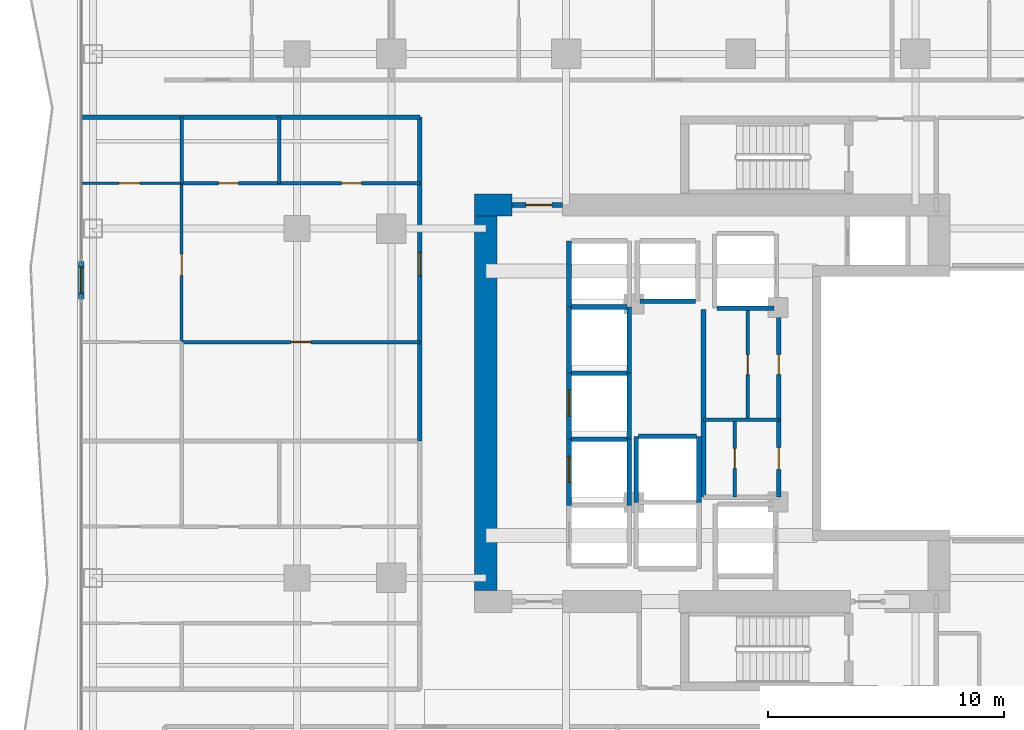
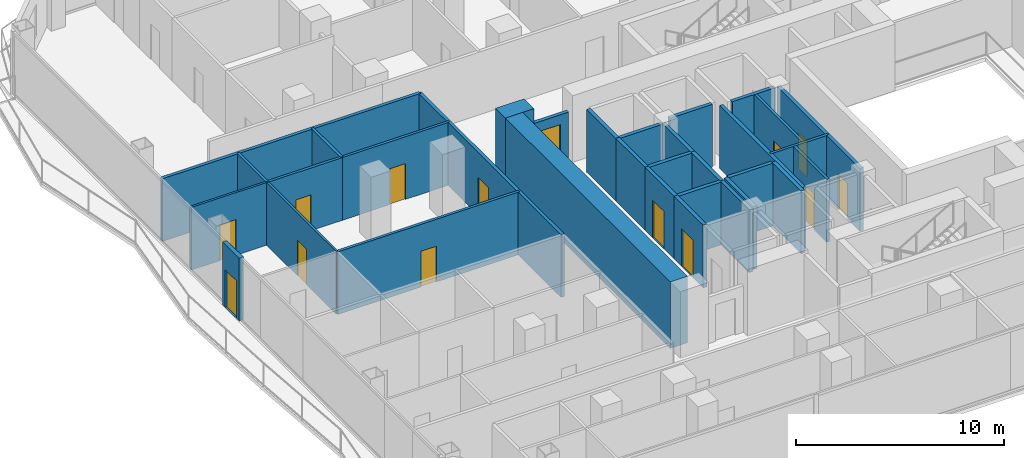
# One storey, part 20 of 28: 34 walls, 14 doors, 14 openings.
"""IFC4 building model written with IfcOpenShell, lengths in metres."""

from ifc_helpers import new_model, si_unit, direction, frame, frame_2d, origin, place, context, subcontext, project, spatial, rectangle, extrude, material, layer, layer_set, type_object, element, fill, save


model = new_model("IFC4")

# Units and contexts
model_context = context("Model", 3, precision=1e-05, world=origin(), true_north=direction((0.0, 1.0)))
body_context = subcontext(model_context, "Body", "Model", "MODEL_VIEW")
ifc_project = project(units=[si_unit("LENGTHUNIT", "METRE"), si_unit("AREAUNIT", "SQUARE_METRE"), si_unit("VOLUMEUNIT", "CUBIC_METRE"), si_unit("PLANEANGLEUNIT", "RADIAN"), si_unit("MASSUNIT", "GRAM", prefix="KILO")], contexts=[model_context])

# Site, building, storey
site_placement = place(None, origin())
site = spatial("IfcSite", under=ifc_project, at=site_placement, CompositionType="ELEMENT")
building_placement = place(site_placement, origin())
building = spatial("IfcBuilding", under=site, at=building_placement, Name="Khorvyn Point Tower", CompositionType="ELEMENT")
storey_placement = place(building_placement, frame((0.0, 0.0, 100.800048828125)))
storey = spatial("IfcBuildingStorey", under=building, at=storey_placement, Name="L25", CompositionType="ELEMENT", Elevation=100.800048828125)

# Wall, opening, door
ifc_material_1 = material(Name="Double acoustic gypsum on twin steel stud", Category="steel")
ifc_layer_1 = layer(ifc_material_1, 0.179931640625)
ifc_layer_set_1 = layer_set([ifc_layer_1], Name="Acoustic Double-Stud Apartment Demising Wall 180")
wall_type_1 = type_object("IfcWallType", Name="Acoustic Double-Stud Apartment Demising Wall 180", PredefinedType="PARTITIONING", material=ifc_layer_set_1)
wall_1_placement = place(storey_placement, frame((-13.60009765625, -1.60009765625, 0.0), z_axis=(0.0, 0.0, 1.0), x_axis=(0.0, 1.0, 0.0)))
wall_1 = element("IfcWall", 1, at=wall_1_placement, inside=storey, type_object=wall_type_1, Name="Wall", PredefinedType="PARTITIONING", context=body_context, shape_type="SweptSolid", body=[
    extrude(rectangle(XDim=13.72021484375, YDim=0.179931640625, at=frame_2d((6.860107421875, 0.0))), origin(), (0.0, 0.0, 1.0), 3.679931640625),
])
opening_1_placement = place(wall_1_placement, frame((6.989013671875, 0.0, 0.0)))
opening_1 = element("IfcOpeningElement", 2, at=opening_1_placement, cuts=wall_1, Name="Opening ID-AP60", PredefinedType="OPENING", context=body_context, shape_type="SweptSolid", body=[
    extrude(rectangle(XDim=1.0, YDim=2.199951171875, at=frame_2d((0.5, 1.10009765625))), frame((0.0, 0.099853515625, 0.0), z_axis=(0.0, -1.0, 0.0), x_axis=(1.0, 0.0, 0.0)), (0.0, 0.0, 1.0), 0.199951171875),
])
ifc_material_2 = material(Name="Engineered hardwood fire-rated leaf", Category="wood")
door_type_1 = type_object("IfcDoorType", Name="Acoustic Solid-Core Timber Apartment Entrance Door 1000x2200", OperationType="NOTDEFINED", PredefinedType="DOOR", material=ifc_material_2)
door_1_placement = place(opening_1_placement, origin())
door_1 = element("IfcDoor", 3, at=door_1_placement, inside=storey, type_object=door_type_1, Name="Door", OperationType="SINGLE_SWING_LEFT", OverallHeight=2.199951171875, OverallWidth=1.0, PredefinedType="DOOR", context=body_context, shape_type="SweptSolid", body=[
    extrude(rectangle(XDim=1.0, YDim=2.199951171875, at=frame_2d((0.5, 1.10009765625))), frame((0.0, 0.02490234375, 0.0), z_axis=(0.0, -1.0, 0.0), x_axis=(1.0, 0.0, 0.0)), (0.0, 0.0, 1.0), 0.050048828125),
])
fill(opening_1, door_1)

# Wall
wall_2_placement = place(storey_placement, frame((-27.929931640625, 12.1201171875, 0.0), z_axis=(0.0, 0.0, 1.0), x_axis=(1.0, 0.0, 0.0)))
element("IfcWall", 4, at=wall_2_placement, inside=storey, type_object=wall_type_1, Name="Wall", PredefinedType="PARTITIONING", context=body_context, shape_type="SweptSolid", body=[
    extrude(rectangle(XDim=14.329833984375, YDim=0.179931640625, at=frame_2d((7.1650390625, 0.0))), origin(), (0.0, 0.0, 1.0), 3.679931640625),
])

# Wall, opening, door
ifc_material_3 = material(Name="Pale anodised aluminium rainscreen on steel stud", Category="steel")
ifc_layer_2 = layer(ifc_material_3, 0.239990234375)
ifc_layer_set_2 = layer_set([ifc_layer_2], Name="Anodised Aluminium Insulated Corner Spandrel Wall 240")
wall_type_2 = type_object("IfcWallType", Name="Anodised Aluminium Insulated Corner Spandrel Wall 240", PredefinedType="SOLIDWALL", material=ifc_layer_set_2)
wall_3_placement = place(storey_placement, frame((-27.949951171875, 4.419921875, 0.0), z_axis=(0.0, 0.0, 1.0), x_axis=(0.0, 1.0, 0.0)))
wall_3 = element("IfcWall", 5, at=wall_3_placement, inside=storey, type_object=wall_type_2, Name="L25 West Outdoor Threshold Wall", PredefinedType="SOLIDWALL", context=body_context, shape_type="SweptSolid", body=[
    extrude(rectangle(XDim=1.580078125, YDim=0.239990234375, at=frame_2d((0.7900390625, 0.0))), origin(), (0.0, 0.0, 1.0), 3.679931640625),
])
opening_2_placement = place(wall_3_placement, frame((0.239990234375, 0.0, 0.0)))
opening_2 = element("IfcOpeningElement", 6, at=opening_2_placement, cuts=wall_3, Name="Opening BD-1122", PredefinedType="OPENING", context=body_context, shape_type="SweptSolid", body=[
    extrude(rectangle(XDim=1.10009765625, YDim=2.199951171875, at=frame_2d((0.550048828125, 1.10009765625))), frame((0.0, 0.1298828125, 0.0), z_axis=(0.0, -1.0, 0.0), x_axis=(1.0, 0.0, 0.0)), (0.0, 0.0, 1.0), 0.260009765625),
])
ifc_material_4 = material(Name="Anodised aluminium 6063-T6 and laminated Low-E glass", Category="aluminium")
door_type_2 = type_object("IfcDoorType", Name="Glazed Balcony and Terrace Threshold Door 1100x2200", OperationType="NOTDEFINED", PredefinedType="DOOR", material=ifc_material_4)
door_2_placement = place(opening_2_placement, origin())
door_2 = element("IfcDoor", 7, at=door_2_placement, inside=storey, type_object=door_type_2, Name="L25 West Glazed Balcony Outdoor Door", OperationType="SINGLE_SWING_LEFT", OverallHeight=2.199951171875, OverallWidth=1.10009765625, PredefinedType="DOOR", context=body_context, shape_type="SweptSolid", body=[
    extrude(rectangle(XDim=1.10009765625, YDim=2.199951171875, at=frame_2d((0.550048828125, 1.10009765625))), frame((0.0, 0.02490234375, 0.0), z_axis=(0.0, -1.0, 0.0), x_axis=(1.0, 0.0, 0.0)), (0.0, 0.0, 1.0), 0.050048828125),
])
fill(opening_2, door_2)

ifc_material_5 = material(Name="Concrete C40/50", Category="concrete")
ifc_layer_3 = layer(ifc_material_5, 0.199951171875)
ifc_layer_set_3 = layer_set([ifc_layer_3], Name="Concrete C40/50 Fire-Lobby Compartment Wall 200")
wall_type_3 = type_object("IfcWallType", Name="Concrete C40/50 Fire-Lobby Compartment Wall 200", PredefinedType="SOLIDWALL", material=ifc_layer_set_3)
wall_4_placement = place(storey_placement, frame((-9.699951171875, 8.39990234375, 0.0), z_axis=(0.0, 0.0, 1.0), x_axis=(1.0, 0.0, 0.0)))
wall_4 = element("IfcWall", 8, at=wall_4_placement, inside=storey, type_object=wall_type_3, Name="Wall", PredefinedType="SOLIDWALL", context=body_context, shape_type="SweptSolid", body=[
    extrude(rectangle(XDim=2.14990234375, YDim=0.199951171875, at=frame_2d((1.074951171875, 0.0))), origin(), (0.0, 0.0, 1.0), 2.719970703125),
])
opening_3_placement = place(wall_4_placement, frame((0.597900390625, 0.0, 0.0)))
opening_3 = element("IfcOpeningElement", 9, at=opening_3_placement, cuts=wall_4, Name="Opening ID-FL90", PredefinedType="OPENING", context=body_context, shape_type="SweptSolid", body=[
    extrude(rectangle(XDim=1.10009765625, YDim=2.14990234375, at=frame_2d((0.550048828125, 1.074951171875))), frame((0.0, 0.10986328125, 0.0), z_axis=(0.0, -1.0, 0.0), x_axis=(1.0, 0.0, 0.0)), (0.0, 0.0, 1.0), 0.219970703125),
])
ifc_material_6 = material(Name="Galvanised powder-coated steel", Category="steel")
door_type_3 = type_object("IfcDoorType", Name="Fire-Rated Steel Lobby and Stair Door 1100x2150", OperationType="NOTDEFINED", PredefinedType="DOOR", material=ifc_material_6)
door_3_placement = place(opening_3_placement, origin())
door_3 = element("IfcDoor", 10, at=door_3_placement, inside=storey, type_object=door_type_3, Name="Door", OperationType="SINGLE_SWING_LEFT", OverallHeight=2.14990234375, OverallWidth=1.10009765625, PredefinedType="DOOR", context=body_context, shape_type="SweptSolid", body=[
    extrude(rectangle(XDim=1.10009765625, YDim=2.14990234375, at=frame_2d((0.550048828125, 1.074951171875))), frame((0.0, 0.02490234375, 0.0), z_axis=(0.0, -1.0, 0.0), x_axis=(1.0, 0.0, 0.0)), (0.0, 0.0, 1.0), 0.050048828125),
])
fill(opening_3, door_3)

wall_5_placement = place(storey_placement, frame((1.610107421875, -3.97998046875, 0.0), z_axis=(0.0, 0.0, 1.0), x_axis=(0.0, 1.0, 0.0)))
wall_5 = element("IfcWall", 11, at=wall_5_placement, inside=storey, type_object=wall_type_3, Name="Wall", PredefinedType="SOLIDWALL", context=body_context, shape_type="SweptSolid", body=[
    extrude(rectangle(XDim=3.27392578125, YDim=0.199951171875, at=frame_2d((1.636962890625, 0.0))), origin(), (0.0, 0.0, 1.0), 3.679931640625),
])
opening_4_placement = place(wall_5_placement, frame((1.177001953125, 0.0, 0.0)))
opening_4 = element("IfcOpeningElement", 12, at=opening_4_placement, cuts=wall_5, Name="Opening ID-RS60", PredefinedType="OPENING", context=body_context, shape_type="SweptSolid", body=[
    extrude(rectangle(XDim=0.919921875, YDim=2.10009765625, at=frame_2d((0.4599609375, 1.050048828125))), frame((0.0, 0.10986328125, 0.0), z_axis=(0.0, -1.0, 0.0), x_axis=(1.0, 0.0, 0.0)), (0.0, 0.0, 1.0), 0.219970703125),
])
door_type_4 = type_object("IfcDoorType", Name="Fire-Rated Riser and Store Steel Door 920x2100", OperationType="NOTDEFINED", PredefinedType="DOOR", material=ifc_material_6)
door_4_placement = place(opening_4_placement, origin())
door_4 = element("IfcDoor", 13, at=door_4_placement, inside=storey, type_object=door_type_4, Name="Door", OperationType="SINGLE_SWING_LEFT", OverallHeight=2.10009765625, OverallWidth=0.919921875, PredefinedType="DOOR", context=body_context, shape_type="SweptSolid", body=[
    extrude(rectangle(XDim=0.919921875, YDim=2.10009765625, at=frame_2d((0.4599609375, 1.050048828125))), frame((0.0, 0.02490234375, 0.0), z_axis=(0.0, -1.0, 0.0), x_axis=(1.0, 0.0, 0.0)), (0.0, 0.0, 1.0), 0.050048828125),
])
fill(opening_4, door_4)

wall_6_placement = place(storey_placement, frame((1.610107421875, -0.7060546875, 0.0), z_axis=(0.0, 0.0, 1.0), x_axis=(0.0, 1.0, 0.0)))
wall_6 = element("IfcWall", 14, at=wall_6_placement, inside=storey, type_object=wall_type_3, Name="Wall", PredefinedType="SOLIDWALL", context=body_context, shape_type="SweptSolid", body=[
    extrude(rectangle(XDim=4.68603515625, YDim=0.199951171875, at=frame_2d((2.343017578125, 0.0))), origin(), (0.0, 0.0, 1.0), 3.679931640625),
])
opening_5_placement = place(wall_6_placement, frame((1.91796875, 0.0, 0.0)))
opening_5 = element("IfcOpeningElement", 15, at=opening_5_placement, cuts=wall_6, Name="Opening ID-WC85", PredefinedType="OPENING", context=body_context, shape_type="SweptSolid", body=[
    extrude(rectangle(XDim=0.85009765625, YDim=2.10009765625, at=frame_2d((0.425048828125, 1.050048828125))), frame((0.0, 0.10986328125, 0.0), z_axis=(0.0, -1.0, 0.0), x_axis=(1.0, 0.0, 0.0)), (0.0, 0.0, 1.0), 0.219970703125),
])
ifc_material_7 = material(Name="High-pressure laminate on moisture-resistant core", Category="wood")
door_type_5 = type_object("IfcDoorType", Name="Moisture-Resistant Accessible Washroom Door 850x2100", OperationType="NOTDEFINED", PredefinedType="DOOR", material=ifc_material_7)
door_5_placement = place(opening_5_placement, origin())
door_5 = element("IfcDoor", 16, at=door_5_placement, inside=storey, type_object=door_type_5, Name="Door", OperationType="SINGLE_SWING_RIGHT", OverallHeight=2.10009765625, OverallWidth=0.85009765625, PredefinedType="DOOR", context=body_context, shape_type="SweptSolid", body=[
    extrude(rectangle(XDim=0.85009765625, YDim=2.10009765625, at=frame_2d((0.425048828125, 1.050048828125))), frame((0.0, 0.02490234375, 0.0), z_axis=(0.0, -1.0, 0.0), x_axis=(1.0, 0.0, 0.0)), (0.0, 0.0, 1.0), 0.050048828125),
])
fill(opening_5, door_5)

# Wall
wall_7_placement = place(storey_placement, frame((-1.580078125, -3.97998046875, 0.0), z_axis=(0.0, 0.0, 1.0), x_axis=(0.0, 1.0, 0.0)))
element("IfcWall", 17, at=wall_7_placement, inside=storey, type_object=wall_type_3, Name="Wall", PredefinedType="SOLIDWALL", context=body_context, shape_type="SweptSolid", body=[
    extrude(rectangle(XDim=7.9599609375, YDim=0.199951171875, at=frame_2d((3.97998046875, 0.0))), origin(), (0.0, 0.0, 1.0), 3.679931640625),
])

# Wall, opening, door
ifc_layer_4 = layer(ifc_material_5, 0.199951171875)
ifc_layer_set_4 = layer_set([ifc_layer_4], Name="Concrete C40/50 Structural Hoistway and Stair Shaft Wall 200")
wall_type_4 = type_object("IfcWallType", Name="Concrete C40/50 Structural Hoistway and Stair Shaft Wall 200", PredefinedType="SHEAR", material=ifc_layer_set_4)
wall_8_placement = place(storey_placement, frame((-7.27490234375, -4.324951171875, 0.0), z_axis=(0.0, 0.0, 1.0), x_axis=(0.0, 1.0, 0.0)))
wall_8 = element("IfcWall", 18, at=wall_8_placement, inside=storey, type_object=wall_type_4, Name="Wall", PredefinedType="SHEAR", context=body_context, shape_type="SweptSolid", body=[
    extrude(rectangle(XDim=2.800048828125, YDim=0.199951171875, at=frame_2d((1.39990234375, 0.0))), origin(), (0.0, 0.0, 1.0), 3.679931640625),
])
opening_6_placement = place(wall_8_placement, frame((0.97509765625, 0.0, 0.0)))
opening_6 = element("IfcOpeningElement", 19, at=opening_6_placement, cuts=wall_8, Name="Opening LD-1122", PredefinedType="OPENING", context=body_context, shape_type="SweptSolid", body=[
    extrude(rectangle(XDim=1.10009765625, YDim=2.199951171875, at=frame_2d((0.550048828125, 1.10009765625))), frame((0.0, 0.10986328125, 0.0), z_axis=(0.0, -1.0, 0.0), x_axis=(1.0, 0.0, 0.0)), (0.0, 0.0, 1.0), 0.219970703125),
])
ifc_material_8 = material(Name="Stainless steel 1.4301", Category="steel")
door_type_6 = type_object("IfcDoorType", Name="Stainless Steel Automatic Sliding Lift Landing Door 1100x2200", OperationType="SLIDING_TO_LEFT", PredefinedType="DOOR", material=ifc_material_8)
door_6_placement = place(opening_6_placement, origin())
door_6 = element("IfcDoor", 20, at=door_6_placement, inside=storey, type_object=door_type_6, Name="L25 RL-02 Sliding Lift Landing Door", OperationType="SLIDING_TO_LEFT", OverallHeight=2.199951171875, OverallWidth=1.10009765625, PredefinedType="DOOR", context=body_context, shape_type="SweptSolid", body=[
    extrude(rectangle(XDim=1.10009765625, YDim=2.199951171875, at=frame_2d((0.550048828125, 1.10009765625))), frame((0.0, 0.02490234375, 0.0), z_axis=(0.0, -1.0, 0.0), x_axis=(1.0, 0.0, 0.0)), (0.0, 0.0, 1.0), 0.050048828125),
])
fill(opening_6, door_6)

# Walls
wall_9_placement = place(storey_placement, frame((-4.72509765625, -4.324951171875, 0.0), z_axis=(0.0, 0.0, 1.0), x_axis=(0.0, 1.0, 0.0)))
element("IfcWall", 21, at=wall_9_placement, inside=storey, type_object=wall_type_4, Name="Wall", PredefinedType="SHEAR", context=body_context, shape_type="SweptSolid", body=[
    extrude(rectangle(XDim=2.800048828125, YDim=0.199951171875, at=frame_2d((1.39990234375, 0.0))), origin(), (0.0, 0.0, 1.0), 3.679931640625),
])
wall_10_placement = place(storey_placement, frame((-7.175048828125, -1.52490234375, 0.0), z_axis=(0.0, 0.0, 1.0), x_axis=(1.0, 0.0, 0.0)))
element("IfcWall", 22, at=wall_10_placement, inside=storey, type_object=wall_type_4, Name="Wall", PredefinedType="SHEAR", context=body_context, shape_type="SweptSolid", body=[
    extrude(rectangle(XDim=2.35009765625, YDim=0.199951171875, at=frame_2d((1.175048828125, 0.0))), origin(), (0.0, 0.0, 1.0), 3.679931640625),
])

# Wall, opening, door
wall_11_placement = place(storey_placement, frame((-7.27490234375, -1.52490234375, 0.0), z_axis=(0.0, 0.0, 1.0), x_axis=(0.0, 1.0, 0.0)))
wall_11 = element("IfcWall", 23, at=wall_11_placement, inside=storey, type_object=wall_type_4, Name="Wall", PredefinedType="SHEAR", context=body_context, shape_type="SweptSolid", body=[
    extrude(rectangle(XDim=2.7998046875, YDim=0.199951171875, at=frame_2d((1.39990234375, 0.0))), origin(), (0.0, 0.0, 1.0), 3.679931640625),
])
opening_7_placement = place(wall_11_placement, frame((0.97509765625, 0.0, 0.0)))
opening_7 = element("IfcOpeningElement", 24, at=opening_7_placement, cuts=wall_11, Name="Opening LD-1122", PredefinedType="OPENING", context=body_context, shape_type="SweptSolid", body=[
    extrude(rectangle(XDim=1.10009765625, YDim=2.199951171875, at=frame_2d((0.550048828125, 1.10009765625))), frame((0.0, 0.10986328125, 0.0), z_axis=(0.0, -1.0, 0.0), x_axis=(1.0, 0.0, 0.0)), (0.0, 0.0, 1.0), 0.219970703125),
])
door_7_placement = place(opening_7_placement, origin())
door_7 = element("IfcDoor", 25, at=door_7_placement, inside=storey, type_object=door_type_6, Name="L25 RL-03 Sliding Lift Landing Door", OperationType="SLIDING_TO_LEFT", OverallHeight=2.199951171875, OverallWidth=1.10009765625, PredefinedType="DOOR", context=body_context, shape_type="SweptSolid", body=[
    extrude(rectangle(XDim=1.10009765625, YDim=2.199951171875, at=frame_2d((0.550048828125, 1.10009765625))), frame((0.0, 0.02490234375, 0.0), z_axis=(0.0, -1.0, 0.0), x_axis=(1.0, 0.0, 0.0)), (0.0, 0.0, 1.0), 0.050048828125),
])
fill(opening_7, door_7)

# Walls
wall_12_placement = place(storey_placement, frame((-4.72509765625, -1.52490234375, 0.0), z_axis=(0.0, 0.0, 1.0), x_axis=(0.0, 1.0, 0.0)))
element("IfcWall", 26, at=wall_12_placement, inside=storey, type_object=wall_type_4, Name="Wall", PredefinedType="SHEAR", context=body_context, shape_type="SweptSolid", body=[
    extrude(rectangle(XDim=2.7998046875, YDim=0.199951171875, at=frame_2d((1.39990234375, 0.0))), origin(), (0.0, 0.0, 1.0), 3.679931640625),
])
wall_13_placement = place(storey_placement, frame((-7.175048828125, 1.27490234375, 0.0), z_axis=(0.0, 0.0, 1.0), x_axis=(1.0, 0.0, 0.0)))
element("IfcWall", 27, at=wall_13_placement, inside=storey, type_object=wall_type_4, Name="Wall", PredefinedType="SHEAR", context=body_context, shape_type="SweptSolid", body=[
    extrude(rectangle(XDim=2.35009765625, YDim=0.199951171875, at=frame_2d((1.175048828125, 0.0))), origin(), (0.0, 0.0, 1.0), 3.679931640625),
])
for number, where, z_axis, x_axis, name in (
    (28, (-7.27490234375, 1.27490234375, 0.0), (0.0, 0.0, 1.0), (0.0, 1.0, 0.0), "Wall"),
    (29, (-4.72509765625, 1.27490234375, 0.0), (0.0, 0.0, 1.0), (0.0, 1.0, 0.0), "Wall"),
):
    element("IfcWall", number, at=place(storey_placement, frame(where, z_axis=z_axis, x_axis=x_axis)), inside=storey, type_object=wall_type_4, Name=name, PredefinedType="SHEAR", context=body_context, shape_type="SweptSolid", body=[
        extrude(rectangle(XDim=2.800048828125, YDim=0.199951171875, at=frame_2d((1.39990234375, 0.0))), origin(), (0.0, 0.0, 1.0), 3.679931640625),
    ])
wall_14_placement = place(storey_placement, frame((-7.175048828125, 4.074951171875, 0.0), z_axis=(0.0, 0.0, 1.0), x_axis=(1.0, 0.0, 0.0)))
element("IfcWall", 30, at=wall_14_placement, inside=storey, type_object=wall_type_4, Name="Wall", PredefinedType="SHEAR", context=body_context, shape_type="SweptSolid", body=[
    extrude(rectangle(XDim=2.35009765625, YDim=0.199951171875, at=frame_2d((1.175048828125, 0.0))), origin(), (0.0, 0.0, 1.0), 3.679931640625),
])
wall_15_placement = place(storey_placement, frame((-7.27490234375, 4.074951171875, 0.0), z_axis=(0.0, 0.0, 1.0), x_axis=(0.0, 1.0, 0.0)))
element("IfcWall", 31, at=wall_15_placement, inside=storey, type_object=wall_type_4, Name="Wall", PredefinedType="SHEAR", context=body_context, shape_type="SweptSolid", body=[
    extrude(rectangle(XDim=2.800048828125, YDim=0.199951171875, at=frame_2d((1.39990234375, 0.0))), origin(), (0.0, 0.0, 1.0), 3.679931640625),
])
wall_16_placement = place(storey_placement, frame((-4.27490234375, 4.324951171875, 0.0), z_axis=(0.0, 0.0, 1.0), x_axis=(1.0, 0.0, 0.0)))
element("IfcWall", 32, at=wall_16_placement, inside=storey, type_object=wall_type_4, Name="Wall", PredefinedType="SHEAR", context=body_context, shape_type="SweptSolid", body=[
    extrude(rectangle(XDim=2.349853515625, YDim=0.199951171875, at=frame_2d((1.1748046875, 0.0))), origin(), (0.0, 0.0, 1.0), 3.679931640625),
])
for number, where, z_axis, x_axis, name in (
    (33, (-4.425048828125, -4.199951171875, 0.0), (0.0, 0.0, 1.0), (0.0, 1.0, 0.0), "Wall"),
    (34, (-1.77490234375, -4.199951171875, 0.0), (0.0, 0.0, 1.0), (0.0, 1.0, 0.0), "Wall"),
):
    element("IfcWall", number, at=place(storey_placement, frame(where, z_axis=z_axis, x_axis=x_axis)), inside=storey, type_object=wall_type_4, Name=name, PredefinedType="SHEAR", context=body_context, shape_type="SweptSolid", body=[
        extrude(rectangle(XDim=2.800048828125, YDim=0.199951171875, at=frame_2d((1.39990234375, 0.0))), origin(), (0.0, 0.0, 1.0), 3.679931640625),
    ])
wall_17_placement = place(storey_placement, frame((-4.324951171875, -1.39990234375, 0.0), z_axis=(0.0, 0.0, 1.0), x_axis=(1.0, 0.0, 0.0)))
element("IfcWall", 35, at=wall_17_placement, inside=storey, type_object=wall_type_4, Name="Wall", PredefinedType="SHEAR", context=body_context, shape_type="SweptSolid", body=[
    extrude(rectangle(XDim=2.449951171875, YDim=0.199951171875, at=frame_2d((1.22509765625, 0.0))), origin(), (0.0, 0.0, 1.0), 3.679931640625),
])
wall_18_placement = place(storey_placement, frame((-1.0, 4.02490234375, 0.0), z_axis=(0.0, 0.0, 1.0), x_axis=(1.0, 0.0, 0.0)))
element("IfcWall", 36, at=wall_18_placement, inside=storey, type_object=wall_type_4, Name="Wall", PredefinedType="SHEAR", context=body_context, shape_type="SweptSolid", body=[
    extrude(rectangle(XDim=2.39990234375, YDim=0.199951171875, at=frame_2d((1.199951171875, 0.0))), origin(), (0.0, 0.0, 1.0), 3.679931640625),
])
ifc_material_9 = material(Name="Concrete C50/60", Category="concrete")
ifc_layer_5 = layer(ifc_material_9, 0.949951171875)
ifc_layer_set_5 = layer_set([ifc_layer_5], Name="Concrete C50/60 Core Shear Wall 950")
wall_type_5 = type_object("IfcWallType", Name="Concrete C50/60 Core Shear Wall 950", PredefinedType="SHEAR", material=ifc_layer_set_5)
wall_19_placement = place(storey_placement, frame((-11.27490234375, 8.39990234375, 0.0), z_axis=(0.0, 0.0, 1.0), x_axis=(1.0, 0.0, 0.0)))
element("IfcWall", 37, at=wall_19_placement, inside=storey, type_object=wall_type_5, Name="Wall", PredefinedType="SHEAR", context=body_context, shape_type="SweptSolid", body=[
    extrude(rectangle(XDim=1.574951171875, YDim=0.949951171875, at=frame_2d((0.78759765625, 0.0))), origin(), (0.0, 0.0, 1.0), 3.89990234375),
])
wall_20_placement = place(storey_placement, frame((-10.800048828125, -7.925048828125, 0.0), z_axis=(0.0, 0.0, 1.0), x_axis=(0.0, 1.0, 0.0)))
element("IfcWall", 38, at=wall_20_placement, inside=storey, type_object=wall_type_5, Name="Wall", PredefinedType="SHEAR", context=body_context, shape_type="SweptSolid", body=[
    extrude(rectangle(XDim=15.85009765625, YDim=0.949951171875, at=frame_2d((7.925048828125, 0.0))), origin(), (0.0, 0.0, 1.0), 3.89990234375),
])

# Wall, opening, door
ifc_material_10 = material(Name="Gypsum plasterboard on steel stud", Category="steel")
ifc_layer_6 = layer(ifc_material_10, 0.1201171875)
ifc_layer_set_6 = layer_set([ifc_layer_6], Name="Gypsum Acoustic Stud Room Partition Wall 120")
wall_type_6 = type_object("IfcWallType", Name="Gypsum Acoustic Stud Room Partition Wall 120", PredefinedType="PARTITIONING", material=ifc_layer_set_6)
wall_21_placement = place(storey_placement, frame((-23.68994140625, 2.591064453125, 0.0), z_axis=(0.0, 0.0, 1.0), x_axis=(0.0, 1.0, 0.0)))
wall_21 = element("IfcWall", 39, at=wall_21_placement, inside=storey, type_object=wall_type_6, Name="Wall", PredefinedType="PARTITIONING", context=body_context, shape_type="SweptSolid", body=[
    extrude(rectangle(XDim=6.72900390625, YDim=0.1201171875, at=frame_2d((3.364501953125, 0.0))), origin(), (0.0, 0.0, 1.0), 3.679931640625),
])
opening_8_placement = place(wall_21_placement, frame((2.82568359375, 0.0, 0.0)))
opening_8 = element("IfcOpeningElement", 40, at=opening_8_placement, cuts=wall_21, Name="Opening ID-RM90", PredefinedType="OPENING", context=body_context, shape_type="SweptSolid", body=[
    extrude(rectangle(XDim=0.89990234375, YDim=2.10009765625, at=frame_2d((0.449951171875, 1.050048828125))), frame((0.0, 0.070068359375, 0.0), z_axis=(0.0, -1.0, 0.0), x_axis=(1.0, 0.0, 0.0)), (0.0, 0.0, 1.0), 0.14013671875),
])
ifc_material_11 = material(Name="Engineered oak veneer timber", Category="wood")
door_type_7 = type_object("IfcDoorType", Name="Flush Engineered Timber Room Door 900x2100", OperationType="NOTDEFINED", PredefinedType="DOOR", material=ifc_material_11)
door_8_placement = place(opening_8_placement, origin())
door_8 = element("IfcDoor", 41, at=door_8_placement, inside=storey, type_object=door_type_7, Name="Door", OperationType="SINGLE_SWING_RIGHT", OverallHeight=2.10009765625, OverallWidth=0.89990234375, PredefinedType="DOOR", context=body_context, shape_type="SweptSolid", body=[
    extrude(rectangle(XDim=0.89990234375, YDim=2.10009765625, at=frame_2d((0.449951171875, 1.050048828125))), frame((0.0, 0.02490234375, 0.0), z_axis=(0.0, -1.0, 0.0), x_axis=(1.0, 0.0, 0.0)), (0.0, 0.0, 1.0), 0.050048828125),
])
fill(opening_8, door_8)

wall_22_placement = place(storey_placement, frame((-27.929931640625, 9.320068359375, 0.0), z_axis=(0.0, 0.0, 1.0), x_axis=(1.0, 0.0, 0.0)))
wall_22 = element("IfcWall", 42, at=wall_22_placement, inside=storey, type_object=wall_type_6, Name="Wall", PredefinedType="PARTITIONING", context=body_context, shape_type="SweptSolid", body=[
    extrude(rectangle(XDim=4.239990234375, YDim=0.1201171875, at=frame_2d((2.1201171875, 0.0))), origin(), (0.0, 0.0, 1.0), 3.679931640625),
])
opening_9_placement = place(wall_22_placement, frame((1.581298828125, 0.0, 0.0)))
opening_9 = element("IfcOpeningElement", 43, at=opening_9_placement, cuts=wall_22, Name="Opening ID-RM90", PredefinedType="OPENING", context=body_context, shape_type="SweptSolid", body=[
    extrude(rectangle(XDim=0.89990234375, YDim=2.10009765625, at=frame_2d((0.449951171875, 1.050048828125))), frame((0.0, 0.070068359375, 0.0), z_axis=(0.0, -1.0, 0.0), x_axis=(1.0, 0.0, 0.0)), (0.0, 0.0, 1.0), 0.14013671875),
])
door_9_placement = place(opening_9_placement, origin())
door_9 = element("IfcDoor", 44, at=door_9_placement, inside=storey, type_object=door_type_7, Name="Door", OperationType="SINGLE_SWING_LEFT", OverallHeight=2.10009765625, OverallWidth=0.89990234375, PredefinedType="DOOR", context=body_context, shape_type="SweptSolid", body=[
    extrude(rectangle(XDim=0.89990234375, YDim=2.10009765625, at=frame_2d((0.449951171875, 1.050048828125))), frame((0.0, 0.02490234375, 0.0), z_axis=(0.0, -1.0, 0.0), x_axis=(1.0, 0.0, 0.0)), (0.0, 0.0, 1.0), 0.050048828125),
])
fill(opening_9, door_9)

ifc_material_12 = material(Name="Moisture-resistant gypsum and cement board", Category="gypsum")
ifc_layer_7 = layer(ifc_material_12, 0.14990234375)
ifc_layer_set_7 = layer_set([ifc_layer_7], Name="Moisture-Resistant Wet-Room Partition Wall 150")
wall_type_7 = type_object("IfcWallType", Name="Moisture-Resistant Wet-Room Partition Wall 150", PredefinedType="PARTITIONING", material=ifc_layer_set_7)
wall_23_placement = place(storey_placement, frame((-0.25, -3.97998046875, 0.0), z_axis=(0.0, 0.0, 1.0), x_axis=(0.0, 1.0, 0.0)))
wall_23 = element("IfcWall", 45, at=wall_23_placement, inside=storey, type_object=wall_type_7, Name="Wall", PredefinedType="PARTITIONING", context=body_context, shape_type="SweptSolid", body=[
    extrude(rectangle(XDim=3.27392578125, YDim=0.14990234375, at=frame_2d((1.636962890625, 0.0))), origin(), (0.0, 0.0, 1.0), 3.679931640625),
])
opening_10_placement = place(wall_23_placement, frame((1.2119140625, 0.0, 0.0)))
opening_10 = element("IfcOpeningElement", 46, at=opening_10_placement, cuts=wall_23, Name="Opening ID-WC85", PredefinedType="OPENING", context=body_context, shape_type="SweptSolid", body=[
    extrude(rectangle(XDim=0.85009765625, YDim=2.10009765625, at=frame_2d((0.425048828125, 1.050048828125))), frame((0.0, 0.0849609375, 0.0), z_axis=(0.0, -1.0, 0.0), x_axis=(1.0, 0.0, 0.0)), (0.0, 0.0, 1.0), 0.169921875),
])
door_10_placement = place(opening_10_placement, origin())
door_10 = element("IfcDoor", 47, at=door_10_placement, inside=storey, type_object=door_type_5, Name="Door", OperationType="SINGLE_SWING_LEFT", OverallHeight=2.10009765625, OverallWidth=0.85009765625, PredefinedType="DOOR", context=body_context, shape_type="SweptSolid", body=[
    extrude(rectangle(XDim=0.85009765625, YDim=2.10009765625, at=frame_2d((0.425048828125, 1.050048828125))), frame((0.0, 0.02490234375, 0.0), z_axis=(0.0, -1.0, 0.0), x_axis=(1.0, 0.0, 0.0)), (0.0, 0.0, 1.0), 0.050048828125),
])
fill(opening_10, door_10)

wall_24_placement = place(storey_placement, frame((0.2900390625, -0.7060546875, 0.0), z_axis=(0.0, 0.0, 1.0), x_axis=(0.0, 1.0, 0.0)))
wall_24 = element("IfcWall", 48, at=wall_24_placement, inside=storey, type_object=wall_type_7, Name="Wall", PredefinedType="PARTITIONING", context=body_context, shape_type="SweptSolid", body=[
    extrude(rectangle(XDim=4.68603515625, YDim=0.14990234375, at=frame_2d((2.343017578125, 0.0))), origin(), (0.0, 0.0, 1.0), 3.679931640625),
])
opening_11_placement = place(wall_24_placement, frame((1.91796875, 0.0, 0.0)))
opening_11 = element("IfcOpeningElement", 49, at=opening_11_placement, cuts=wall_24, Name="Opening ID-WC85", PredefinedType="OPENING", context=body_context, shape_type="SweptSolid", body=[
    extrude(rectangle(XDim=0.85009765625, YDim=2.10009765625, at=frame_2d((0.425048828125, 1.050048828125))), frame((0.0, 0.0849609375, 0.0), z_axis=(0.0, -1.0, 0.0), x_axis=(1.0, 0.0, 0.0)), (0.0, 0.0, 1.0), 0.169921875),
])
door_11_placement = place(opening_11_placement, origin())
door_11 = element("IfcDoor", 50, at=door_11_placement, inside=storey, type_object=door_type_5, Name="Door", OperationType="SINGLE_SWING_RIGHT", OverallHeight=2.10009765625, OverallWidth=0.85009765625, PredefinedType="DOOR", context=body_context, shape_type="SweptSolid", body=[
    extrude(rectangle(XDim=0.85009765625, YDim=2.10009765625, at=frame_2d((0.425048828125, 1.050048828125))), frame((0.0, 0.02490234375, 0.0), z_axis=(0.0, -1.0, 0.0), x_axis=(1.0, 0.0, 0.0)), (0.0, 0.0, 1.0), 0.050048828125),
])
fill(opening_11, door_11)

wall_25_placement = place(storey_placement, frame((-23.68994140625, 9.320068359375, 0.0), z_axis=(0.0, 0.0, 1.0), x_axis=(1.0, 0.0, 0.0)))
wall_25 = element("IfcWall", 51, at=wall_25_placement, inside=storey, type_object=wall_type_7, Name="Wall", PredefinedType="PARTITIONING", context=body_context, shape_type="SweptSolid", body=[
    extrude(rectangle(XDim=4.136962890625, YDim=0.14990234375, at=frame_2d((2.068359375, 0.0))), origin(), (0.0, 0.0, 1.0), 3.679931640625),
])
opening_12_placement = place(wall_25_placement, frame((1.55615234375, 0.0, 0.0)))
opening_12 = element("IfcOpeningElement", 52, at=opening_12_placement, cuts=wall_25, Name="Opening ID-WC85", PredefinedType="OPENING", context=body_context, shape_type="SweptSolid", body=[
    extrude(rectangle(XDim=0.85009765625, YDim=2.10009765625, at=frame_2d((0.425048828125, 1.050048828125))), frame((0.0, 0.0849609375, 0.0), z_axis=(0.0, -1.0, 0.0), x_axis=(1.0, 0.0, 0.0)), (0.0, 0.0, 1.0), 0.169921875),
])
door_12_placement = place(opening_12_placement, origin())
door_12 = element("IfcDoor", 53, at=door_12_placement, inside=storey, type_object=door_type_5, Name="Door", OperationType="SINGLE_SWING_LEFT", OverallHeight=2.10009765625, OverallWidth=0.85009765625, PredefinedType="DOOR", context=body_context, shape_type="SweptSolid", body=[
    extrude(rectangle(XDim=0.85009765625, YDim=2.10009765625, at=frame_2d((0.425048828125, 1.050048828125))), frame((0.0, 0.02490234375, 0.0), z_axis=(0.0, -1.0, 0.0), x_axis=(1.0, 0.0, 0.0)), (0.0, 0.0, 1.0), 0.050048828125),
])
fill(opening_12, door_12)

wall_26_placement = place(storey_placement, frame((-19.552978515625, 9.320068359375, 0.0), z_axis=(0.0, 0.0, 1.0), x_axis=(1.0, 0.0, 0.0)))
wall_26 = element("IfcWall", 54, at=wall_26_placement, inside=storey, type_object=wall_type_7, Name="Wall", PredefinedType="PARTITIONING", context=body_context, shape_type="SweptSolid", body=[
    extrude(rectangle(XDim=5.952880859375, YDim=0.14990234375, at=frame_2d((2.9765625, 0.0))), origin(), (0.0, 0.0, 1.0), 3.679931640625),
])
opening_13_placement = place(wall_26_placement, frame((2.64013671875, 0.0, 0.0)))
opening_13 = element("IfcOpeningElement", 55, at=opening_13_placement, cuts=wall_26, Name="Opening ID-WC85", PredefinedType="OPENING", context=body_context, shape_type="SweptSolid", body=[
    extrude(rectangle(XDim=0.85009765625, YDim=2.10009765625, at=frame_2d((0.425048828125, 1.050048828125))), frame((0.0, 0.0849609375, 0.0), z_axis=(0.0, -1.0, 0.0), x_axis=(1.0, 0.0, 0.0)), (0.0, 0.0, 1.0), 0.169921875),
])
door_13_placement = place(opening_13_placement, origin())
door_13 = element("IfcDoor", 56, at=door_13_placement, inside=storey, type_object=door_type_5, Name="Door", OperationType="SINGLE_SWING_RIGHT", OverallHeight=2.10009765625, OverallWidth=0.85009765625, PredefinedType="DOOR", context=body_context, shape_type="SweptSolid", body=[
    extrude(rectangle(XDim=0.85009765625, YDim=2.10009765625, at=frame_2d((0.425048828125, 1.050048828125))), frame((0.0, 0.02490234375, 0.0), z_axis=(0.0, -1.0, 0.0), x_axis=(1.0, 0.0, 0.0)), (0.0, 0.0, 1.0), 0.050048828125),
])
fill(opening_13, door_13)

wall_27_placement = place(storey_placement, frame((-23.68994140625, 2.591064453125, 0.0), z_axis=(0.0, 0.0, 1.0), x_axis=(1.0, 0.0, 0.0)))
wall_27 = element("IfcWall", 57, at=wall_27_placement, inside=storey, type_object=wall_type_7, Name="Wall", PredefinedType="PARTITIONING", context=body_context, shape_type="SweptSolid", body=[
    extrude(rectangle(XDim=10.08984375, YDim=0.14990234375, at=frame_2d((5.044921875, 0.0))), origin(), (0.0, 0.0, 1.0), 3.679931640625),
])
opening_14_placement = place(wall_27_placement, frame((4.6201171875, 0.0, 0.0)))
opening_14 = element("IfcOpeningElement", 58, at=opening_14_placement, cuts=wall_27, Name="Opening ID-WC85", PredefinedType="OPENING", context=body_context, shape_type="SweptSolid", body=[
    extrude(rectangle(XDim=0.85009765625, YDim=2.10009765625, at=frame_2d((0.425048828125, 1.050048828125))), frame((0.0, 0.0849609375, 0.0), z_axis=(0.0, -1.0, 0.0), x_axis=(1.0, 0.0, 0.0)), (0.0, 0.0, 1.0), 0.169921875),
])
door_14_placement = place(opening_14_placement, origin())
door_14 = element("IfcDoor", 59, at=door_14_placement, inside=storey, type_object=door_type_5, Name="Door", OperationType="SINGLE_SWING_LEFT", OverallHeight=2.10009765625, OverallWidth=0.85009765625, PredefinedType="DOOR", context=body_context, shape_type="SweptSolid", body=[
    extrude(rectangle(XDim=0.85009765625, YDim=2.10009765625, at=frame_2d((0.425048828125, 1.050048828125))), frame((0.0, 0.02490234375, 0.0), z_axis=(0.0, -1.0, 0.0), x_axis=(1.0, 0.0, 0.0)), (0.0, 0.0, 1.0), 0.050048828125),
])
fill(opening_14, door_14)

# Walls
wall_28_placement = place(storey_placement, frame((-1.580078125, -0.7060546875, 0.0), z_axis=(0.0, 0.0, 1.0), x_axis=(1.0, 0.0, 0.0)))
element("IfcWall", 60, at=wall_28_placement, inside=storey, type_object=wall_type_7, Name="Wall", PredefinedType="PARTITIONING", context=body_context, shape_type="SweptSolid", body=[
    extrude(rectangle(XDim=3.190185546875, YDim=0.14990234375, at=frame_2d((1.59521484375, 0.0))), origin(), (0.0, 0.0, 1.0), 3.679931640625),
])
for number, where, z_axis, x_axis, name in (
    (61, (-19.552978515625, 9.320068359375, 0.0), (0.0, 0.0, 1.0), (0.0, 1.0, 0.0), "Wall"),
    (62, (-23.68994140625, 9.320068359375, 0.0), (0.0, 0.0, 1.0), (0.0, 1.0, 0.0), "Wall"),
):
    element("IfcWall", number, at=place(storey_placement, frame(where, z_axis=z_axis, x_axis=x_axis)), inside=storey, type_object=wall_type_7, Name=name, PredefinedType="PARTITIONING", context=body_context, shape_type="SweptSolid", body=[
        extrude(rectangle(XDim=2.800048828125, YDim=0.14990234375, at=frame_2d((1.39990234375, 0.0))), origin(), (0.0, 0.0, 1.0), 3.679931640625),
    ])

save(model, "model.ifc")
